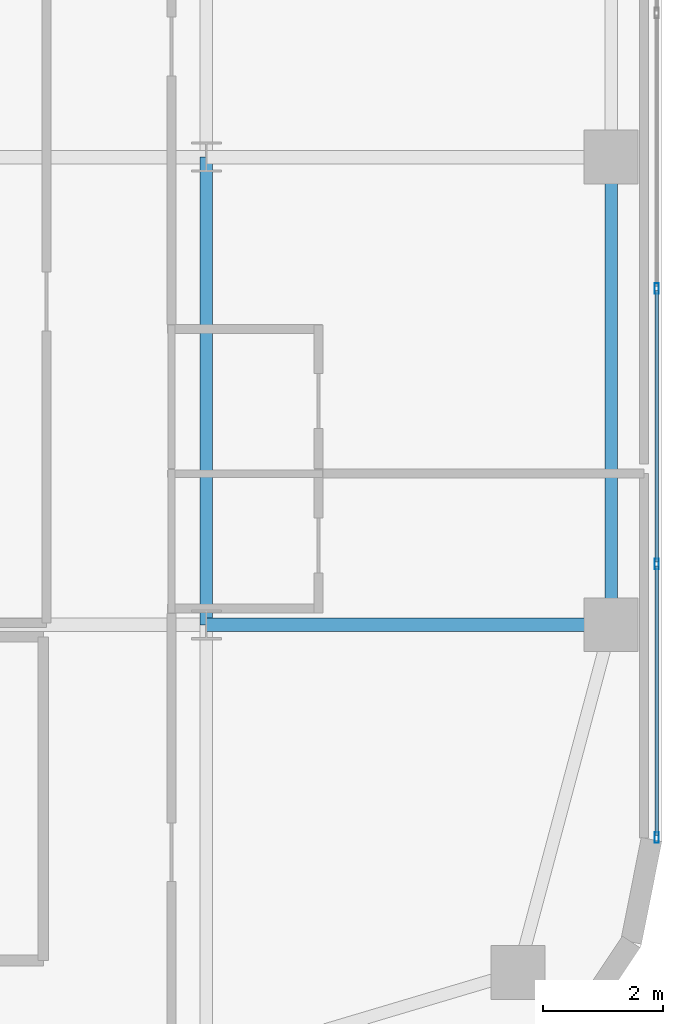
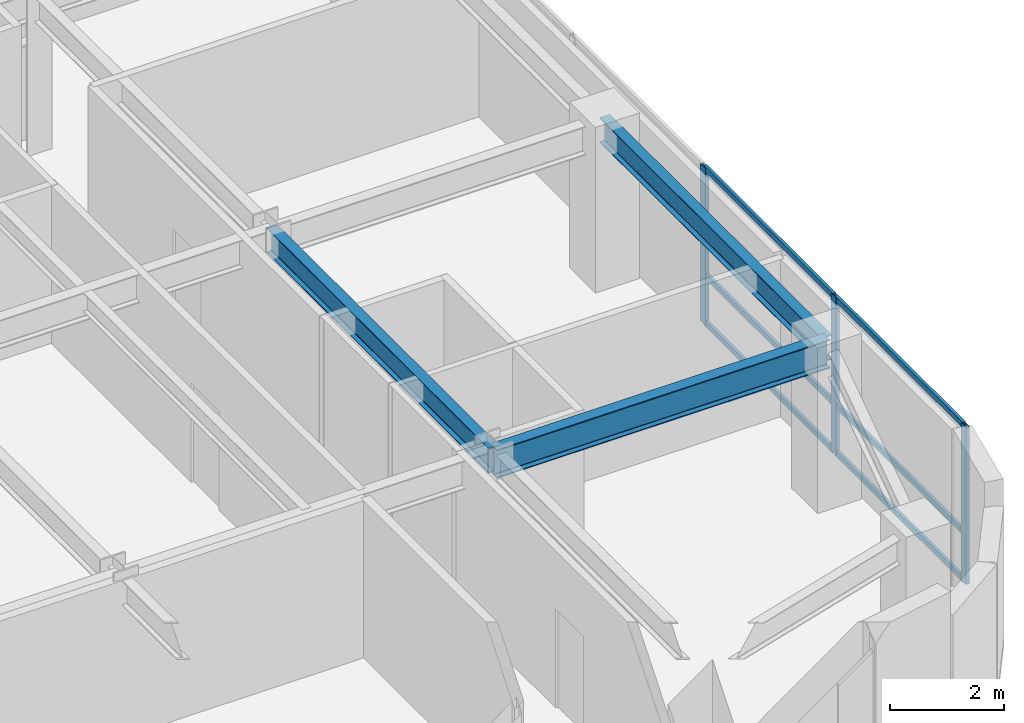
# One storey, part 12 of 31: 9 members, 3 beams, 1 element without a shape of its own.
"""IFC4 building model written with IfcOpenShell, lengths in metres."""

import ifcopenshell
import ifcopenshell.guid

model = None  # the IFC model being written
_history = None  # IfcOwnerHistory: only IFC2X3 demands one
_inside = {}  # id of a spatial element -> (the spatial element, [elements in it])
_under = {}  # id of a project, library or spatial element -> (it, [spatial elements below it])
_declared = {}  # id of a project -> (the project, [libraries it declares])
_typed = {}  # id of a type object -> (the type object, [elements of that type])
_made_of = {}  # id of a material, layer set ... -> (it, [elements and type objects made of it])


def new_model(schema):
    """Start an empty IFC model of exactly this schema.

    Asked for "IFC4X3", IfcOpenShell would pick the latest addendum, in which some entities
    have other attributes; the version numbers below select the first issue.
    IFC2X3 requires an IfcOwnerHistory on every rooted entity: one is made here for all.
    """
    global model, _history
    if schema == "IFC4X3":
        model = ifcopenshell.file(schema_version=(4, 3, 0, 0))
    else:
        model = ifcopenshell.file(schema=schema)
    _inside.clear()
    _under.clear()
    _declared.clear()
    _typed.clear()
    _made_of.clear()
    _history = None
    if model.schema == "IFC2X3":
        org = make("IfcOrganization", Name="unknown")
        user = make(
            "IfcPersonAndOrganization",
            ThePerson=make("IfcPerson", FamilyName="unknown"),
            TheOrganization=org,
        )
        app = make(
            "IfcApplication",
            ApplicationDeveloper=org,
            Version="unknown",
            ApplicationFullName="unknown",
            ApplicationIdentifier="unknown",
        )
        _history = make(
            "IfcOwnerHistory",
            OwningUser=user,
            OwningApplication=app,
            ChangeAction="ADDED",
            CreationDate=0,
        )
    return model


def make(cls, **values):
    """One entity of the class cls with the attributes given. An attribute that is None is left unset."""
    return model.create_entity(
        cls, **{name: value for name, value in values.items() if value is not None}
    )


def rooted(cls, **values):
    """An entity with a GlobalId (a new one), such as an element, a storey or a relation."""
    return make(cls, GlobalId=ifcopenshell.guid.new(), OwnerHistory=_history, **values)


def si_unit(unit_type, name, prefix=None):
    """IfcSIUnit, for example si_unit("LENGTHUNIT", "METRE", prefix="MILLI")."""
    return make("IfcSIUnit", UnitType=unit_type, Prefix=prefix, Name=name)


def assignment(units):
    """IfcUnitAssignment: the units of a project."""
    return None if units is None else make("IfcUnitAssignment", Units=units)


def point(xyz):
    """IfcCartesianPoint."""
    return None if xyz is None else make("IfcCartesianPoint", Coordinates=xyz)


def direction(xyz):
    """IfcDirection."""
    return None if xyz is None else make("IfcDirection", DirectionRatios=xyz)


def frame(location, z_axis=None, x_axis=None):
    """IfcAxis2Placement3D, a coordinate frame: its origin and axes. An axis left out is left unset."""
    return make(
        "IfcAxis2Placement3D",
        Location=point(location),
        Axis=direction(z_axis),
        RefDirection=direction(x_axis),
    )


def frame_2d(location, x_axis=None):
    """IfcAxis2Placement2D, a coordinate frame in the plane: its origin and x axis."""
    return make(
        "IfcAxis2Placement2D", Location=point(location), RefDirection=direction(x_axis)
    )


def origin():
    """The frame at (0, 0, 0) with its axes left unset."""
    return frame((0.0, 0.0, 0.0))


def origin_2d():
    """The frame at (0, 0) in the plane with its x axis left unset."""
    return frame_2d((0.0, 0.0))


def place(relative_to, where):
    """IfcLocalPlacement: puts the frame where relative to a parent placement (None: the world)."""
    return make(
        "IfcLocalPlacement", PlacementRelTo=relative_to, RelativePlacement=where
    )


def context(
    kind, dimensions, precision=None, world=None, true_north=None, identifier=None
):
    """IfcGeometricRepresentationContext, for example the 3D "Model" context."""
    return make(
        "IfcGeometricRepresentationContext",
        ContextIdentifier=identifier,
        ContextType=kind,
        CoordinateSpaceDimension=dimensions,
        Precision=precision,
        WorldCoordinateSystem=world,
        TrueNorth=true_north,
    )


def subcontext(parent, identifier, kind, view, scale=None):
    """IfcGeometricRepresentationSubContext, for example "Body" below "Model"."""
    return make(
        "IfcGeometricRepresentationSubContext",
        ContextIdentifier=identifier,
        ContextType=kind,
        ParentContext=parent,
        TargetScale=scale,
        TargetView=view,
    )


def project(units=None, contexts=None):
    """IfcProject with its units and contexts."""
    return rooted(
        "IfcProject",
        Name="project",
        RepresentationContexts=contexts,
        UnitsInContext=assignment(units),
    )


def spatial(cls, under=None, at=None, **own):
    """A site, building, storey or space (cls), placed at a placement, below another one or the project."""
    s = rooted(cls, ObjectPlacement=at, **own)
    if under is not None:
        _under.setdefault(under.id(), (under, []))[1].append(s)
    return s


def profile(cls, at=None, kind="AREA", **sizes):
    """A parametric profile (cls). Its sizes go by their IFC names, for example OverallWidth=200.0."""
    return make(cls, ProfileType=kind, Position=at, **sizes)


def hollow_rectangle(**sizes):
    """IfcRectangleHollowProfileDef."""
    return profile("IfcRectangleHollowProfileDef", **sizes)


def i_section(**sizes):
    """IfcIShapeProfileDef."""
    return profile("IfcIShapeProfileDef", **sizes)


def extrude(swept, where, along, depth):
    """IfcExtrudedAreaSolid: the profile swept, set in the frame where, extruded along a direction by depth."""
    return make(
        "IfcExtrudedAreaSolid",
        SweptArea=swept,
        Position=where,
        ExtrudedDirection=direction(along),
        Depth=depth,
    )


def shape(context_of_items, identifier, shape_type, items):
    """IfcShapeRepresentation: the items that make up one representation, for example the "Body"."""
    return make(
        "IfcShapeRepresentation",
        ContextOfItems=context_of_items,
        RepresentationIdentifier=identifier,
        RepresentationType=shape_type,
        Items=items,
    )


def source(mapping_origin, context_of_items, identifier, shape_type, items):
    """IfcRepresentationMap: a shape defined once, which mapped items show again and again."""
    return make(
        "IfcRepresentationMap",
        MappingOrigin=mapping_origin,
        MappedRepresentation=shape(context_of_items, identifier, shape_type, items),
    )


def transform(
    local_origin,
    x_axis=None,
    y_axis=None,
    z_axis=None,
    scale=None,
    scale2=None,
    scale3=None,
    uniform=True,
):
    """IfcCartesianTransformationOperator3D, or its non-uniform kind. x_axis, y_axis, z_axis: its Axis1, 2, 3."""
    if uniform:
        return make(
            "IfcCartesianTransformationOperator3D",
            Axis1=direction(x_axis),
            Axis2=direction(y_axis),
            LocalOrigin=point(local_origin),
            Scale=scale,
            Axis3=direction(z_axis),
        )
    return make(
        "IfcCartesianTransformationOperator3DnonUniform",
        Axis1=direction(x_axis),
        Axis2=direction(y_axis),
        LocalOrigin=point(local_origin),
        Scale=scale,
        Axis3=direction(z_axis),
        Scale2=scale2,
        Scale3=scale3,
    )


def mapped(mapping_source, mapping_target):
    """IfcMappedItem: shows the shape of a source again, moved by a transform."""
    return make(
        "IfcMappedItem", MappingSource=mapping_source, MappingTarget=mapping_target
    )


def material(Name=None, Category=None):
    """IfcMaterial."""
    return make("IfcMaterial", Name=Name, Category=Category)


def layer(
    of_material, thickness, ventilated=None, Name=None, Category=None, Priority=None
):
    """IfcMaterialLayer: one layer of a wall or slab, of a material (None: an air gap)."""
    return make(
        "IfcMaterialLayer",
        Material=of_material,
        LayerThickness=thickness,
        IsVentilated=ventilated,
        Name=Name,
        Category=Category,
        Priority=Priority,
    )


def layer_set(layers, Name=None):
    """IfcMaterialLayerSet."""
    return make("IfcMaterialLayerSet", MaterialLayers=layers, LayerSetName=Name)


def material_profile(
    of_material, cross_section, Name=None, Category=None, Priority=None
):
    """IfcMaterialProfile: a cross section and its material."""
    return make(
        "IfcMaterialProfile",
        Name=Name,
        Material=of_material,
        Profile=cross_section,
        Priority=Priority,
        Category=Category,
    )


def profile_set(profiles, Name=None, composite=None):
    """IfcMaterialProfileSet."""
    return make(
        "IfcMaterialProfileSet",
        Name=Name,
        MaterialProfiles=profiles,
        CompositeProfile=composite,
    )


def made_of(thing, what):
    """Note that an element or type object is made of a material, layer set ...; save() writes the relation."""
    if what is not None:
        _made_of.setdefault(what.id(), (what, []))[1].append(thing)
    return thing


def type_object(cls, material=None, **own):
    """A type object (cls), such as IfcWallType, which elements share."""
    return made_of(rooted(cls, **own), material)


def type_shapes(of_type, sources):
    """Give a type object the sources (RepresentationMaps) that its elements show as mapped items."""
    of_type.RepresentationMaps = sources


def element(
    cls,
    number,
    at=None,
    inside=None,
    cuts=None,
    type_object=None,
    material=None,
    context=None,
    identifier="Body",
    shape_type=None,
    held_by="IfcProductDefinitionShape",
    body=None,
    shapes=None,
    **own,
):
    """One element of the class cls, such as IfcWall. Its Tag is "e" and its number.

    at: its placement. inside: the storey or other place that contains it. cuts: it is an
    opening in that element (IfcRelVoidsElement). A single representation is given by context,
    identifier, shape_type and body (its items); several are given by shapes. held_by: the class
    of the entity that holds the representations. save() writes the other relations.
    """
    e = rooted(cls, Tag="e%d" % number, ObjectPlacement=at, **own)
    if body is not None:
        shapes = [shape(context, identifier, shape_type, body)]
    if shapes is not None:
        e.Representation = make(held_by, Representations=shapes)
    if inside is not None:
        _inside.setdefault(inside.id(), (inside, []))[1].append(e)
    if cuts is not None:
        rooted(
            "IfcRelVoidsElement", RelatingBuildingElement=cuts, RelatedOpeningElement=e
        )
    if type_object is not None:
        _typed.setdefault(type_object.id(), (type_object, []))[1].append(e)
    return made_of(e, material)


def aggregate(whole, parts):
    """IfcRelAggregates: a whole, such as a stair, and the parts it consists of."""
    return rooted("IfcRelAggregates", RelatingObject=whole, RelatedObjects=parts)


def save(model, path):
    """Write the relations noted so far, then the file.

    IfcRelAggregates (storeys below a building ...), IfcRelContainedInSpatialStructure (elements
    in a storey), IfcRelDefinesByType, IfcRelAssociatesMaterial and IfcRelDeclares: one each for
    every whole, place, type object, material and project.
    """
    for whole, parts in _under.values():
        aggregate(whole, parts)
    for where, things in _inside.values():
        rooted(
            "IfcRelContainedInSpatialStructure",
            RelatedElements=things,
            RelatingStructure=where,
        )
    for kind, things in _typed.values():
        rooted("IfcRelDefinesByType", RelatedObjects=things, RelatingType=kind)
    for what, things in _made_of.values():
        rooted("IfcRelAssociatesMaterial", RelatedObjects=things, RelatingMaterial=what)
    for by, libraries in _declared.values():
        rooted("IfcRelDeclares", RelatingContext=by, RelatedDefinitions=libraries)
    model.write(path)


model = new_model("IFC4")

# Units and contexts
model_context = context("Model", 3, precision=1e-05, world=origin(), true_north=direction((0.0, 1.0)))
body_context = subcontext(model_context, "Body", "Model", "MODEL_VIEW")
ifc_project = project(units=[si_unit("LENGTHUNIT", "METRE"), si_unit("AREAUNIT", "SQUARE_METRE"), si_unit("VOLUMEUNIT", "CUBIC_METRE"), si_unit("PLANEANGLEUNIT", "RADIAN"), si_unit("MASSUNIT", "GRAM", prefix="KILO")], contexts=[model_context])

# Site, building, storey
site_placement = place(None, origin())
site = spatial("IfcSite", under=ifc_project, at=site_placement, CompositionType="ELEMENT")
building_placement = place(site_placement, origin())
building = spatial("IfcBuilding", under=site, at=building_placement, Name="Tolvann Quenvar Hotel", CompositionType="ELEMENT")
storey_placement = place(building_placement, frame((0.0, 0.0, 125.75)))
storey = spatial("IfcBuildingStorey", under=building, at=storey_placement, Name="L32", CompositionType="ELEMENT", Elevation=125.75)

# Beams
ifc_material_1 = material(Name="Steel Grade 350", Category="steel")
ifc_material_profile_1 = material_profile(ifc_material_1, i_section(OverallWidth=0.22900390625, OverallDepth=0.612060546875, WebThickness=0.011962890625, FlangeThickness=0.01953125, FilletRadius=0.013916015625, at=origin_2d()), Name="610UB125")
ifc_profile_set_1 = profile_set([ifc_material_profile_1], Name="Steel Grade 350")
beam_type_1 = type_object("IfcBeamType", Name="BM_GIRD_610UB125", PredefinedType="BEAM", material=ifc_profile_set_1)
shared_shape_1 = source(origin(), body_context, "Body", "SweptSolid", [
    extrude(i_section(OverallWidth=0.22900390625, OverallDepth=0.612060546875, WebThickness=0.011962890625, FlangeThickness=0.01953125, FilletRadius=0.013916015625, at=origin_2d()), origin(), (0.0, 0.0, 1.0), 6.75),
])
type_shapes(beam_type_1, [shared_shape_1])
beam_1_placement = place(storey_placement, frame((49.39990234375, 8.199951171875, 3.06396484375), z_axis=(1.0, 0.0, 0.0), x_axis=(0.0, 1.0, 0.0)))
element("IfcBeam", 1, at=beam_1_placement, inside=storey, type_object=beam_type_1, Name="BM-L32-EW-3-I3-J3", PredefinedType="BEAM", context=body_context, shape_type="MappedRepresentation", body=[
    mapped(shared_shape_1, transform((0.0, 0.0, 0.0), x_axis=(1.0, 0.0, 0.0), y_axis=(0.0, 1.0, 0.0), z_axis=(0.0, 0.0, 1.0), scale=1.0)),
])
ifc_material_profile_2 = material_profile(ifc_material_1, i_section(OverallWidth=0.208984375, OverallDepth=0.528076171875, WebThickness=0.009521484375, FlangeThickness=0.01318359375, FilletRadius=0.013916015625, at=origin_2d()), Name="530UB82")
ifc_profile_set_2 = profile_set([ifc_material_profile_2], Name="Steel Grade 350")
beam_type_2 = type_object("IfcBeamType", Name="BM_SPAND_530UB82", PredefinedType="SPANDREL", material=ifc_profile_set_2)
shared_shape_2 = source(origin(), body_context, "Body", "SweptSolid", [
    extrude(i_section(OverallWidth=0.208984375, OverallDepth=0.528076171875, WebThickness=0.009521484375, FlangeThickness=0.01318359375, FilletRadius=0.013916015625, at=origin_2d()), origin(), (0.0, 0.0, 1.0), 7.800048828125),
])
type_shapes(beam_type_2, [shared_shape_2])
beam_2_placement = place(storey_placement, frame((56.14990234375, 8.199951171875, 3.10595703125), z_axis=(0.0, 1.0, 0.0), x_axis=(-1.0, 0.0, 0.0)))
element("IfcBeam", 2, at=beam_2_placement, inside=storey, type_object=beam_type_2, Name="BM-L32-NS-J3-J4", PredefinedType="SPANDREL", context=body_context, shape_type="MappedRepresentation", body=[
    mapped(shared_shape_2, transform((0.0, 0.0, 0.0), x_axis=(1.0, 0.0, 0.0), y_axis=(0.0, 1.0, 0.0), z_axis=(0.0, 0.0, 1.0), scale=1.0)),
])
ifc_material_profile_3 = material_profile(ifc_material_1, i_section(OverallWidth=0.208984375, OverallDepth=0.532958984375, WebThickness=0.01025390625, FlangeThickness=0.015625, FilletRadius=0.013916015625, at=origin_2d()), Name="530UB92")
ifc_profile_set_3 = profile_set([ifc_material_profile_3], Name="Steel Grade 350")
beam_type_3 = type_object("IfcBeamType", Name="BM_GIRD_530UB92", PredefinedType="BEAM", material=ifc_profile_set_3)
shared_shape_3 = source(origin(), body_context, "Body", "SweptSolid", [
    extrude(i_section(OverallWidth=0.208984375, OverallDepth=0.532958984375, WebThickness=0.01025390625, FlangeThickness=0.015625, FilletRadius=0.013916015625, at=origin_2d()), origin(), (0.0, 0.0, 1.0), 7.800048828125),
])
type_shapes(beam_type_3, [shared_shape_3])
beam_3_placement = place(storey_placement, frame((49.39990234375, 8.199951171875, 3.103515625), z_axis=(0.0, 1.0, 0.0), x_axis=(-1.0, 0.0, 0.0)))
element("IfcBeam", 3, at=beam_3_placement, inside=storey, type_object=beam_type_3, Name="BM-L32-NS-I3-I4", PredefinedType="BEAM", context=body_context, shape_type="MappedRepresentation", body=[
    mapped(shared_shape_3, transform((0.0, 0.0, 0.0), x_axis=(1.0, 0.0, 0.0), y_axis=(0.0, 1.0, 0.0), z_axis=(0.0, 0.0, 1.0), scale=1.0)),
])

# Curtain wall, members
ifc_material_2 = material(Name="Thermally broken anodised architectural aluminium 6063-T6 and laminated low-E glass", Category="aluminium")
ifc_layer = layer(ifc_material_2, 0.179931640625)
ifc_layer_set = layer_set([ifc_layer], Name="Thermally broken anodised architectural aluminium 6063-T6 and laminated low-E glass")
curtain_wall_type = type_object("IfcCurtainWallType", Name="CW_SYS_BAND_04", PredefinedType="USERDEFINED", material=ifc_layer_set)
curtain_wall_placement = place(storey_placement, origin())
curtain_wall = element("IfcCurtainWall", 4, at=curtain_wall_placement, inside=storey, type_object=curtain_wall_type, Name="Curtain Wall CW-BAND-04 (CWR-L32-E13)", ObjectType="UNITISED CURTAIN WALL", PredefinedType="USERDEFINED")
ifc_material_3 = material(Name="Anodised architectural aluminium 6063-T6 framing", Category="aluminium")
ifc_material_profile_4 = material_profile(ifc_material_3, hollow_rectangle(XDim=0.070068359375, YDim=0.179931640625, WallThickness=0.00390625, at=origin_2d()), Name="180x70x4RHS")
ifc_profile_set_4 = profile_set([ifc_material_profile_4], Name="Anodised architectural aluminium 6063-T6 framing")
member_type_1 = type_object("IfcMemberType", Name="CW_MULL_180x70", PredefinedType="MULLION", material=ifc_profile_set_4)
shared_shape_4 = source(origin(), body_context, "Body", "SweptSolid", [
    extrude(hollow_rectangle(XDim=0.070068359375, YDim=0.179931640625, WallThickness=0.00390625, at=origin_2d()), origin(), (0.0, 0.0, 1.0), 3.3701171875),
])
type_shapes(member_type_1, [shared_shape_4])
member_1_placement = place(storey_placement, frame((56.909912109375, 4.652099609375, 0.0), z_axis=(0.0, 0.0, 1.0), x_axis=(-1.0, 0.0, 0.0)))
member_1 = element("IfcMember", 5, at=member_1_placement, type_object=member_type_1, Name="CW-BAND-04 mullion 1", PredefinedType="MULLION", context=body_context, shape_type="MappedRepresentation", body=[
    mapped(shared_shape_4, transform((0.0, 0.0, 0.0), x_axis=(1.0, 0.0, 0.0), y_axis=(0.0, 1.0, 0.0), z_axis=(0.0, 0.0, 1.0), scale=1.0)),
])
member_2_placement = place(storey_placement, frame((56.909912109375, 9.212890625, 0.0), z_axis=(0.0, 0.0, 1.0), x_axis=(-1.0, 0.0, 0.0)))
member_2 = element("IfcMember", 6, at=member_2_placement, type_object=member_type_1, Name="CW-BAND-04 mullion 2", PredefinedType="MULLION", context=body_context, shape_type="MappedRepresentation", body=[
    mapped(shared_shape_4, transform((0.0, 0.0, 0.0), x_axis=(1.0, 0.0, 0.0), y_axis=(0.0, 1.0, 0.0), z_axis=(0.0, 0.0, 1.0), scale=1.0)),
])
member_3_placement = place(storey_placement, frame((56.909912109375, 13.80859375, 0.0), z_axis=(0.0, 0.0, 1.0), x_axis=(-1.0, 0.0, 0.0)))
member_3 = element("IfcMember", 7, at=member_3_placement, type_object=member_type_1, Name="CW-BAND-04 mullion 3", PredefinedType="MULLION", context=body_context, shape_type="MappedRepresentation", body=[
    mapped(shared_shape_4, transform((0.0, 0.0, 0.0), x_axis=(1.0, 0.0, 0.0), y_axis=(0.0, 1.0, 0.0), z_axis=(0.0, 0.0, 1.0), scale=1.0)),
])
ifc_material_profile_5 = material_profile(ifc_material_3, hollow_rectangle(XDim=0.06005859375, YDim=0.1201171875, WallThickness=0.00341796875, at=origin_2d()), Name="120x60x3.5RHS")
ifc_profile_set_5 = profile_set([ifc_material_profile_5], Name="Anodised architectural aluminium 6063-T6 framing")
member_type_2 = type_object("IfcMemberType", Name="CW_TRAN_120x60", PredefinedType="USERDEFINED", material=ifc_profile_set_5)
shared_shape_5 = source(origin(), body_context, "Body", "SweptSolid", [
    extrude(hollow_rectangle(XDim=0.06005859375, YDim=0.1201171875, WallThickness=0.00341796875, at=origin_2d()), origin(), (0.0, 0.0, 1.0), 4.49072265625),
])
member_4_placement = place(storey_placement, frame((56.909912109375, 4.687255859375, 0.030029296875), z_axis=(0.0, 1.0, 0.0), x_axis=(-1.0, 0.0, 0.0)))
member_4 = element("IfcMember", 8, at=member_4_placement, type_object=member_type_2, Name="CW-BAND-04 transom 1.1", ObjectType="TRANSOM", PredefinedType="USERDEFINED", context=body_context, shape_type="MappedRepresentation", body=[
    mapped(shared_shape_5, transform((0.0, 0.0, 0.0), x_axis=(1.0, 0.0, 0.0), y_axis=(0.0, 1.0, 0.0), z_axis=(0.0, 0.0, 1.0), scale=1.0)),
])
member_5_placement = place(storey_placement, frame((56.909912109375, 4.687255859375, 1.050048828125), z_axis=(0.0, 1.0, 0.0), x_axis=(-1.0, 0.0, 0.0)))
member_5 = element("IfcMember", 9, at=member_5_placement, type_object=member_type_2, Name="CW-BAND-04 transom 1.2", ObjectType="TRANSOM", PredefinedType="USERDEFINED", context=body_context, shape_type="MappedRepresentation", body=[
    mapped(shared_shape_5, transform((0.0, 0.0, 0.0), x_axis=(1.0, 0.0, 0.0), y_axis=(0.0, 1.0, 0.0), z_axis=(0.0, 0.0, 1.0), scale=1.0)),
])
member_6_placement = place(storey_placement, frame((56.909912109375, 4.687255859375, 3.340087890625), z_axis=(0.0, 1.0, 0.0), x_axis=(-1.0, 0.0, 0.0)))
member_6 = element("IfcMember", 10, at=member_6_placement, type_object=member_type_2, Name="CW-BAND-04 transom 1.3", ObjectType="TRANSOM", PredefinedType="USERDEFINED", context=body_context, shape_type="MappedRepresentation", body=[
    mapped(shared_shape_5, transform((0.0, 0.0, 0.0), x_axis=(1.0, 0.0, 0.0), y_axis=(0.0, 1.0, 0.0), z_axis=(0.0, 0.0, 1.0), scale=1.0)),
])
shared_shape_6 = source(origin(), body_context, "Body", "SweptSolid", [
    extrude(hollow_rectangle(XDim=0.06005859375, YDim=0.1201171875, WallThickness=0.00341796875, at=origin_2d()), origin(), (0.0, 0.0, 1.0), 4.52587890625),
])
type_shapes(member_type_2, [shared_shape_5, shared_shape_6])
member_7_placement = place(storey_placement, frame((56.909912109375, 9.247802734375, 0.030029296875), z_axis=(0.0, 1.0, 0.0), x_axis=(-1.0, 0.0, 0.0)))
member_7 = element("IfcMember", 11, at=member_7_placement, type_object=member_type_2, Name="CW-BAND-04 transom 2.1", ObjectType="TRANSOM", PredefinedType="USERDEFINED", context=body_context, shape_type="MappedRepresentation", body=[
    mapped(shared_shape_6, transform((0.0, 0.0, 0.0), x_axis=(1.0, 0.0, 0.0), y_axis=(0.0, 1.0, 0.0), z_axis=(0.0, 0.0, 1.0), scale=1.0)),
])
member_8_placement = place(storey_placement, frame((56.909912109375, 9.247802734375, 1.050048828125), z_axis=(0.0, 1.0, 0.0), x_axis=(-1.0, 0.0, 0.0)))
member_8 = element("IfcMember", 12, at=member_8_placement, type_object=member_type_2, Name="CW-BAND-04 transom 2.2", ObjectType="TRANSOM", PredefinedType="USERDEFINED", context=body_context, shape_type="MappedRepresentation", body=[
    mapped(shared_shape_6, transform((0.0, 0.0, 0.0), x_axis=(1.0, 0.0, 0.0), y_axis=(0.0, 1.0, 0.0), z_axis=(0.0, 0.0, 1.0), scale=1.0)),
])
member_9_placement = place(storey_placement, frame((56.909912109375, 9.247802734375, 3.340087890625), z_axis=(0.0, 1.0, 0.0), x_axis=(-1.0, 0.0, 0.0)))
member_9 = element("IfcMember", 13, at=member_9_placement, type_object=member_type_2, Name="CW-BAND-04 transom 2.3", ObjectType="TRANSOM", PredefinedType="USERDEFINED", context=body_context, shape_type="MappedRepresentation", body=[
    mapped(shared_shape_6, transform((0.0, 0.0, 0.0), x_axis=(1.0, 0.0, 0.0), y_axis=(0.0, 1.0, 0.0), z_axis=(0.0, 0.0, 1.0), scale=1.0)),
])
aggregate(curtain_wall, [member_1, member_2, member_3, member_4, member_5, member_6, member_7, member_8, member_9])

save(model, "model.ifc")
